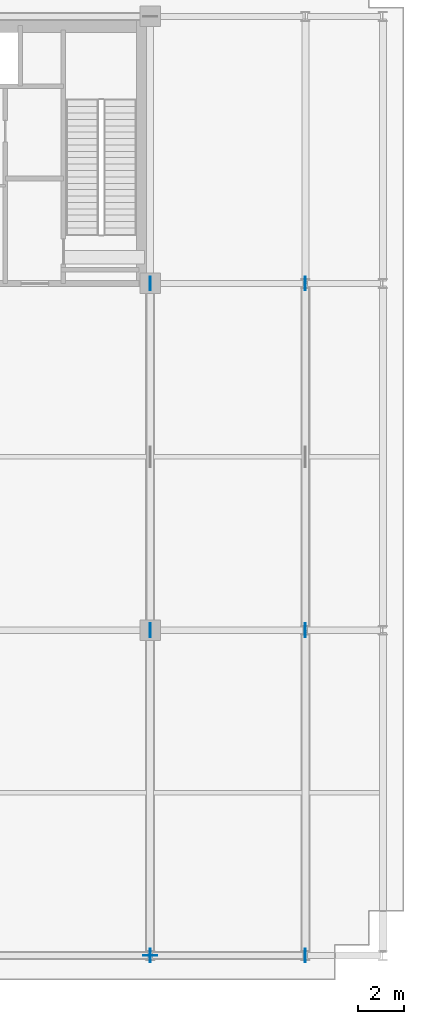
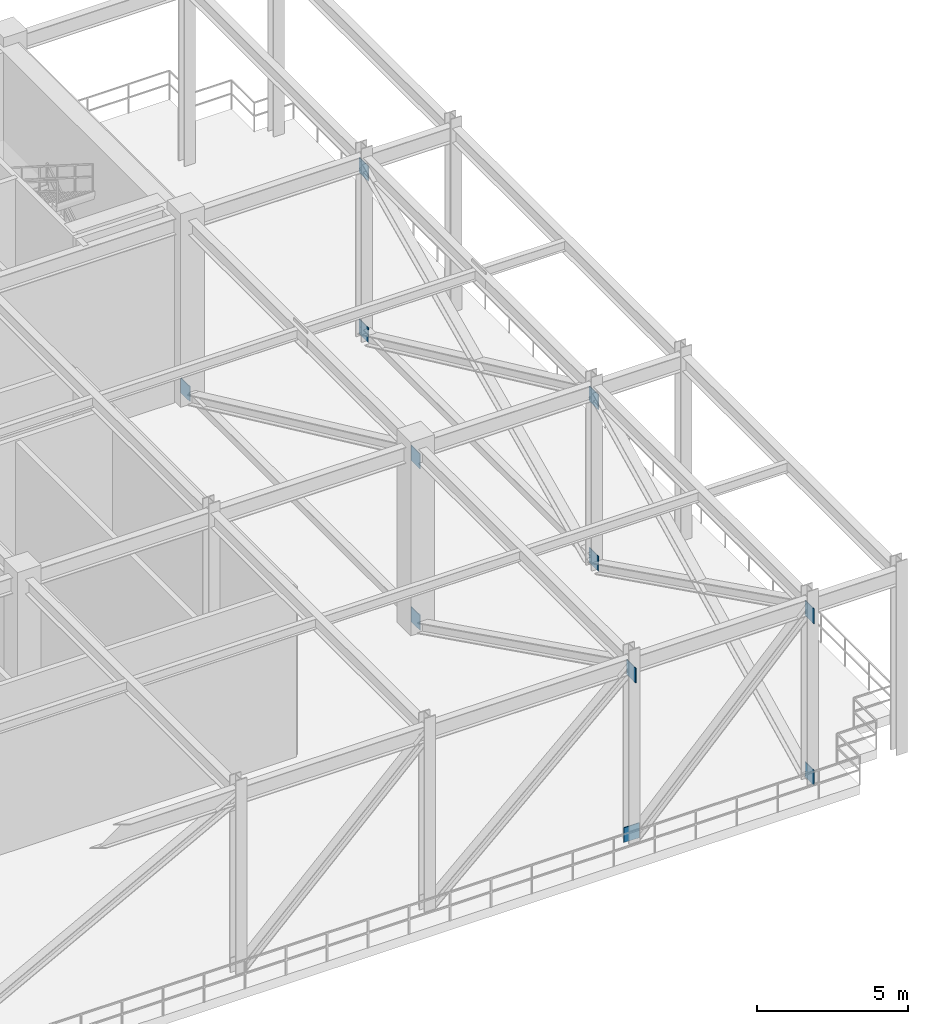
# One storey, part 9 of 16: 11 plates.
"""IFC4 building model written with IfcOpenShell, lengths in metres."""

from ifc_helpers import new_model, si_unit, direction, frame, origin, origin_2d, place, context, subcontext, project, spatial, rectangle, extrude, source, transform, mapped, material, layer, layer_set, type_object, element, save


model = new_model("IFC4")

# Units and contexts
model_context = context("Model", 3, precision=1e-05, world=origin(), true_north=direction((0.0, 1.0)))
body_context = subcontext(model_context, "Body", "Model", "MODEL_VIEW")
ifc_project = project(units=[si_unit("LENGTHUNIT", "METRE"), si_unit("AREAUNIT", "SQUARE_METRE"), si_unit("VOLUMEUNIT", "CUBIC_METRE"), si_unit("PLANEANGLEUNIT", "RADIAN"), si_unit("MASSUNIT", "GRAM", prefix="KILO")], contexts=[model_context])

# Site, building, storey
site_placement = place(None, origin())
site = spatial("IfcSite", under=ifc_project, at=site_placement, CompositionType="ELEMENT")
building_placement = place(site_placement, origin())
building = spatial("IfcBuilding", under=site, at=building_placement, Name="Trelvane Seafront Commons", CompositionType="ELEMENT")
storey_placement = place(building_placement, frame((0.0, 0.0, 73.89990234375)))
storey = spatial("IfcBuildingStorey", under=building, at=storey_placement, Name="L19", CompositionType="ELEMENT", Elevation=73.89990234375)

# Plates
ifc_material = material(Name="Steel SM355 (S355)", Category="steel")
ifc_layer = layer(ifc_material, 0.031982421875, Name="STR-PLT-GUS2")
ifc_layer_set = layer_set([ifc_layer], Name="Steel SM355 (S355)")
plate_type = type_object("IfcPlateType", Name="STR-PLT-GUS2", PredefinedType="SHEET", material=ifc_layer_set)
shared_shape_1 = source(origin(), body_context, "Body", "SweptSolid", [
    extrude(rectangle(XDim=0.031982421875, YDim=0.60009765625, at=origin_2d()), origin(), (0.0, 0.0, 1.0), 0.60009765625),
])
for number, where, z_axis, x_axis, name in (
    (1, (58.800048828125, 33.39990234375, -0.02001953125), (0.0, 0.0, 1.0), (1.0, 0.0, 0.0), "L19 Brace Connection Gusset Plate GP-009"),
    (2, (58.800048828125, 18.199951171875, 6.489990234375), (0.0, 0.0, 1.0), (1.0, 0.0, 0.0), "L19 Brace Connection Gusset Plate GP-010"),
    (3, (58.800048828125, 18.199951171875, -0.02001953125), (0.0, 0.0, 1.0), (1.0, 0.0, 0.0), "L19 Brace Connection Gusset Plate GP-011"),
    (4, (58.800048828125, 3.949951171875, 6.489990234375), (0.0, 0.0, 1.0), (1.0, 0.0, 0.0), "L19 Brace Connection Gusset Plate GP-012"),
    (5, (65.60009765625, 33.39990234375, -0.02001953125), (0.0, 0.0, 1.0), (1.0, 0.0, 0.0), "L19 Brace Connection Gusset Plate GP-013"),
    (6, (65.60009765625, 18.199951171875, 6.489990234375), (0.0, 0.0, 1.0), (1.0, 0.0, 0.0), "L19 Brace Connection Gusset Plate GP-014"),
    (7, (65.60009765625, 18.199951171875, -0.02001953125), (0.0, 0.0, 1.0), (1.0, 0.0, 0.0), "L19 Brace Connection Gusset Plate GP-015"),
    (8, (65.60009765625, 3.949951171875, 6.489990234375), (0.0, 0.0, 1.0), (1.0, 0.0, 0.0), "L19 Brace Connection Gusset Plate GP-016"),
    (9, (65.60009765625, 3.949951171875, -0.02001953125), (0.0, 0.0, 1.0), (1.0, 0.0, 0.0), "L19 Brace Connection Gusset Plate GP-033"),
    (10, (65.60009765625, 33.39990234375, 6.489990234375), (0.0, 0.0, 1.0), (1.0, 0.0, 0.0), "L19 Brace Connection Gusset Plate GP-034"),
):
    element("IfcPlate", number, at=place(storey_placement, frame(where, z_axis=z_axis, x_axis=x_axis)), inside=storey, type_object=plate_type, Name=name, PredefinedType="SHEET", context=body_context, shape_type="MappedRepresentation", body=[
        mapped(shared_shape_1, transform((0.0, 0.0, 0.0), x_axis=(1.0, 0.0, 0.0), y_axis=(0.0, 1.0, 0.0), z_axis=(0.0, 0.0, 1.0), scale=1.0)),
    ])
shared_shape_2 = source(origin(), body_context, "Body", "SweptSolid", [
    extrude(rectangle(XDim=0.60009765625, YDim=0.031982421875, at=origin_2d()), origin(), (0.0, 0.0, 1.0), 0.60009765625),
])
plate_placement = place(storey_placement, frame((58.800048828125, 3.949951171875, -0.02001953125), z_axis=(0.0, 0.0, 1.0), x_axis=(1.0, 0.0, 0.0)))
element("IfcPlate", 11, at=plate_placement, inside=storey, type_object=plate_type, Name="L19 Brace Connection Gusset Plate GP-031", PredefinedType="SHEET", context=body_context, shape_type="MappedRepresentation", body=[
    mapped(shared_shape_2, transform((0.0, 0.0, 0.0), x_axis=(1.0, 0.0, 0.0), y_axis=(0.0, 1.0, 0.0), z_axis=(0.0, 0.0, 1.0), scale=1.0)),
])

save(model, "model.ifc")
